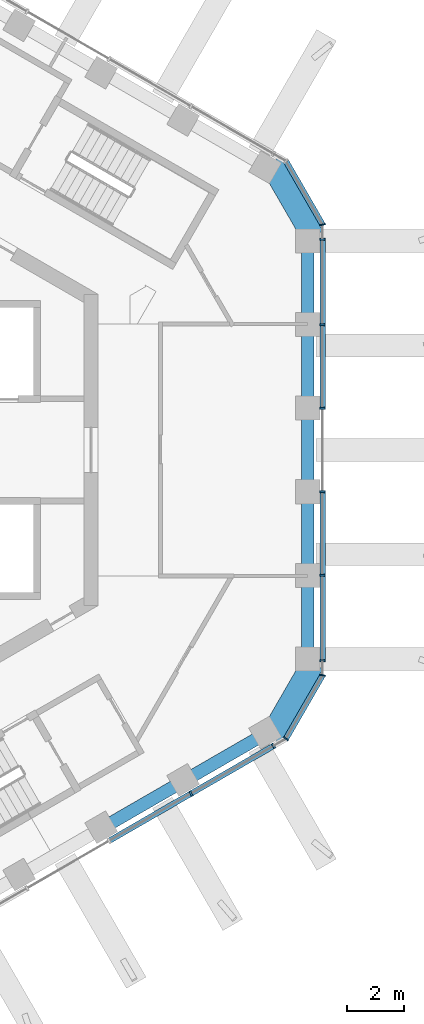
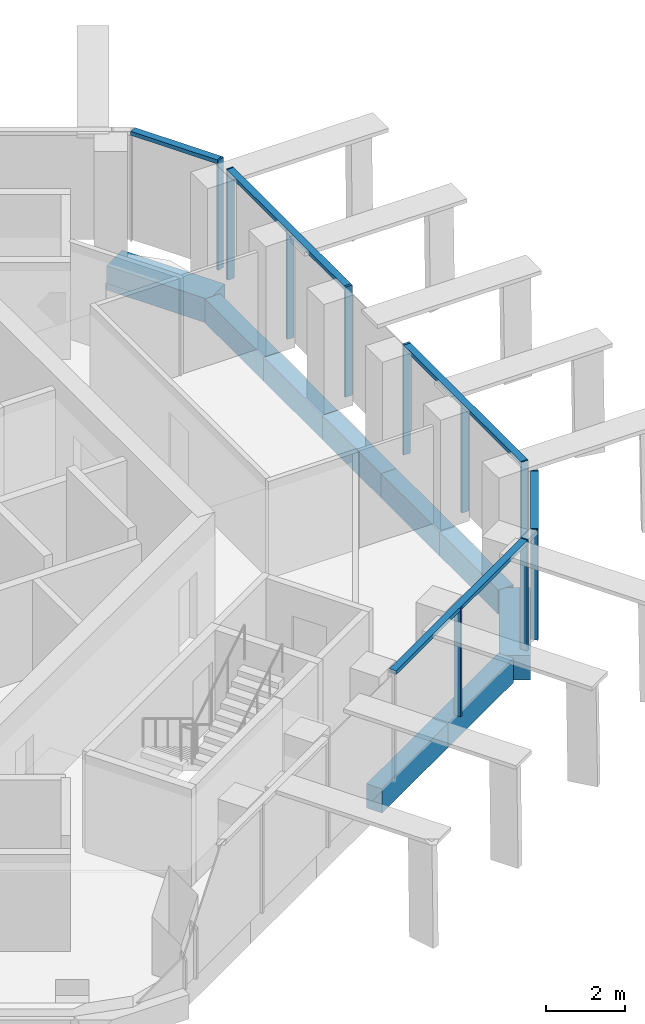
# One storey, part 4 of 17: 16 members, 9 beams, 4 elements without a shape of their own.
"""IFC4 building model written with IfcOpenShell, lengths in metres."""

from ifc_helpers import new_model, si_unit, direction, frame, origin, origin_2d, place, context, subcontext, project, spatial, rectangle, extrude, material, layer, layer_set, material_profile, profile_set, type_object, element, aggregate, save


model = new_model("IFC4")

# Units and contexts
model_context = context("Model", 3, precision=1e-05, world=origin(), true_north=direction((0.0, 1.0)))
body_context = subcontext(model_context, "Body", "Model", "MODEL_VIEW")
ifc_project = project(units=[si_unit("LENGTHUNIT", "METRE"), si_unit("AREAUNIT", "SQUARE_METRE"), si_unit("VOLUMEUNIT", "CUBIC_METRE"), si_unit("PLANEANGLEUNIT", "RADIAN"), si_unit("MASSUNIT", "GRAM", prefix="KILO")], contexts=[model_context])

# Site, building, storey
site_placement = place(None, origin())
site = spatial("IfcSite", under=ifc_project, at=site_placement, CompositionType="ELEMENT")
building_placement = place(site_placement, origin())
building = spatial("IfcBuilding", under=site, at=building_placement, Name="Ayvan Gate Tower", CompositionType="ELEMENT")
storey_placement = place(building_placement, frame((0.0, 0.0, 249.5)))
storey = spatial("IfcBuildingStorey", under=building, at=storey_placement, Name="L67", CompositionType="ELEMENT", Elevation=249.5)

# Beams
ifc_material_1 = material(Name="Concrete C40/50", Category="concrete")
ifc_material_profile_1 = material_profile(ifc_material_1, rectangle(XDim=0.800048828125, YDim=0.75, at=origin_2d()), Name="RC 800x750")
ifc_profile_set_1 = profile_set([ifc_material_profile_1], Name="Concrete C40/50")
beam_type_1 = type_object("IfcBeamType", Name="Corner spandrel beam RC 800x750 C40/50", PredefinedType="BEAM", material=ifc_profile_set_1)
for number, where, z_axis, x_axis, name in (
    (1, (17.078125, 7.52587890625, -0.72509765625), (-0.50002537861, 0.866010750942, 0.0), (-0.866010750942, -0.50002537861, 0.0), "SB-L67-6"),
    (2, (15.578125, -10.123779296875, -0.72509765625), (0.50002537861, 0.866010750942, 0.0), (-0.866010750942, 0.50002537861, 0.0), "SB-L67-36"),
):
    element("IfcBeam", number, at=place(storey_placement, frame(where, z_axis=z_axis, x_axis=x_axis)), inside=storey, type_object=beam_type_1, Name=name, PredefinedType="BEAM", context=body_context, shape_type="SweptSolid", body=[
        extrude(rectangle(XDim=0.800048828125, YDim=0.75, at=origin_2d()), origin(), (0.0, 0.0, 1.0), 2.999755859375),
    ])
ifc_material_profile_2 = material_profile(ifc_material_1, rectangle(XDim=0.449951171875, YDim=0.75, at=origin_2d()), Name="RC 450x750")
ifc_profile_set_2 = profile_set([ifc_material_profile_2], Name="Concrete C40/50")
beam_type_2 = type_object("IfcBeamType", Name="Spandrel beam RC 450x750 C40/50", PredefinedType="BEAM", material=ifc_profile_set_2)
for number, where, z_axis, x_axis, name in (
    (3, (16.887451171875, -7.415771484375, -0.72509765625), (0.0, 1.0, 0.0), (-1.0, 0.0, 0.0), "SB-L67-1"),
    (4, (16.887451171875, -4.449462890625, -0.72509765625), (0.0, 1.0, 0.0), (-1.0, 0.0, 0.0), "SB-L67-2"),
    (5, (16.887451171875, -1.483154296875, -0.72509765625), (0.0, 1.0, 0.0), (-1.0, 0.0, 0.0), "SB-L67-3"),
    (6, (16.887451171875, 1.483154296875, -0.72509765625), (0.0, 1.0, 0.0), (-1.0, 0.0, 0.0), "SB-L67-4"),
    (7, (16.887451171875, 4.449462890625, -0.72509765625), (0.0, 1.0, 0.0), (-1.0, 0.0, 0.0), "SB-L67-5"),
):
    element("IfcBeam", number, at=place(storey_placement, frame(where, z_axis=z_axis, x_axis=x_axis)), inside=storey, type_object=beam_type_2, Name=name, PredefinedType="BEAM", context=body_context, shape_type="SweptSolid", body=[
        extrude(rectangle(XDim=0.449951171875, YDim=0.75, at=origin_2d()), origin(), (0.0, 0.0, 1.0), 2.96630859375),
    ])
beam_1_placement = place(storey_placement, frame((9.6240234375, -13.341552734375, -0.72509765625), z_axis=(0.866008413041, 0.500029427677, 0.0), x_axis=(-0.500029427677, 0.866008413041, 0.0)))
element("IfcBeam", 8, at=beam_1_placement, inside=storey, type_object=beam_type_2, Name="SB-L67-34", PredefinedType="BEAM", context=body_context, shape_type="SweptSolid", body=[
    extrude(rectangle(XDim=0.449951171875, YDim=0.75, at=origin_2d()), origin(), (0.0, 0.0, 1.0), 3.327392578125),
])
beam_2_placement = place(storey_placement, frame((12.505615234375, -11.677734375, -0.72509765625), z_axis=(0.866026756424, 0.499997657153, 0.0), x_axis=(-0.499997657153, 0.866026756424, 0.0)))
element("IfcBeam", 9, at=beam_2_placement, inside=storey, type_object=beam_type_2, Name="SB-L67-35", PredefinedType="BEAM", context=body_context, shape_type="SweptSolid", body=[
    extrude(rectangle(XDim=0.449951171875, YDim=0.75, at=origin_2d()), origin(), (0.0, 0.0, 1.0), 3.32763671875),
])

# Curtain wall, members
ifc_material_2 = material(Name="Bronze anodised aluminium", Category="aluminium")
ifc_layer_1 = layer(ifc_material_2, 0.199951171875)
ifc_layer_set_1 = layer_set([ifc_layer_1], Name="Bronze anodised aluminium")
curtain_wall_type_1 = type_object("IfcCurtainWallType", Name="Stick curtain wall CW-2", PredefinedType="NOTDEFINED", material=ifc_layer_set_1)
curtain_wall_1_placement = place(storey_placement, origin())
curtain_wall_1 = element("IfcCurtainWall", 10, at=curtain_wall_1_placement, inside=storey, type_object=curtain_wall_type_1, Name="Stick curtain wall CW-2 L67", PredefinedType="NOTDEFINED")
ifc_material_profile_3 = material_profile(ifc_material_2, rectangle(XDim=0.199951171875, YDim=0.070068359375, at=origin_2d()), Name="Stick curtain wall CW-2 mullion 200 x 70")
ifc_profile_set_3 = profile_set([ifc_material_profile_3], Name="Bronze anodised aluminium")
member_type_1 = type_object("IfcMemberType", Name="Stick curtain wall CW-2 mullion 200 x 70", PredefinedType="MULLION", material=ifc_profile_set_3)
member_1_placement = place(storey_placement, frame((12.77490234375, -12.11376953125, 0.0), z_axis=(0.0, 0.0, 1.0), x_axis=(0.5, -0.866025403784, 0.0)))
member_1 = element("IfcMember", 11, at=member_1_placement, type_object=member_type_1, Name="CW-2 mullion 5", PredefinedType="MULLION", context=body_context, shape_type="SweptSolid", body=[
    extrude(rectangle(XDim=0.199951171875, YDim=0.070068359375, at=origin_2d()), origin(), (0.0, 0.0, 1.0), 3.39990234375),
])
member_2_placement = place(storey_placement, frame((15.679443359375, -10.436767578125, 0.0), z_axis=(0.0, 0.0, 1.0), x_axis=(0.5, -0.866025403784, 0.0)))
member_2 = element("IfcMember", 12, at=member_2_placement, type_object=member_type_1, Name="CW-2 mullion 6", PredefinedType="MULLION", context=body_context, shape_type="SweptSolid", body=[
    extrude(rectangle(XDim=0.199951171875, YDim=0.070068359375, at=origin_2d()), origin(), (0.0, 0.0, 1.0), 3.39990234375),
])

curtain_wall_2_placement = place(storey_placement, origin())
curtain_wall_2 = element("IfcCurtainWall", 13, at=curtain_wall_2_placement, inside=storey, type_object=curtain_wall_type_1, Name="Stick curtain wall CW-2 L67", PredefinedType="NOTDEFINED")
member_3_placement = place(storey_placement, frame((17.41259765625, -7.435302734375, 0.0), z_axis=(0.0, 0.0, 1.0), x_axis=(1.0, 0.0, 0.0)))
member_3 = element("IfcMember", 14, at=member_3_placement, type_object=member_type_1, Name="CW-2 mullion 1", PredefinedType="MULLION", context=body_context, shape_type="SweptSolid", body=[
    extrude(rectangle(XDim=0.199951171875, YDim=0.070068359375, at=origin_2d()), origin(), (0.0, 0.0, 1.0), 3.39990234375),
])
member_4_placement = place(storey_placement, frame((17.41259765625, -4.42041015625, 0.0), z_axis=(0.0, 0.0, 1.0), x_axis=(1.0, 0.0, 0.0)))
member_4 = element("IfcMember", 15, at=member_4_placement, type_object=member_type_1, Name="CW-2 mullion 2", PredefinedType="MULLION", context=body_context, shape_type="SweptSolid", body=[
    extrude(rectangle(XDim=0.199951171875, YDim=0.070068359375, at=origin_2d()), origin(), (0.0, 0.0, 1.0), 3.39990234375),
])
member_5_placement = place(storey_placement, frame((17.41259765625, -1.473388671875, 0.0), z_axis=(0.0, 0.0, 1.0), x_axis=(1.0, 0.0, 0.0)))
member_5 = element("IfcMember", 16, at=member_5_placement, type_object=member_type_1, Name="CW-2 mullion 3", PredefinedType="MULLION", context=body_context, shape_type="SweptSolid", body=[
    extrude(rectangle(XDim=0.199951171875, YDim=0.070068359375, at=origin_2d()), origin(), (0.0, 0.0, 1.0), 3.39990234375),
])
member_6_placement = place(storey_placement, frame((17.41259765625, 1.4736328125, 0.0), z_axis=(0.0, 0.0, 1.0), x_axis=(1.0, 0.0, 0.0)))
member_6 = element("IfcMember", 17, at=member_6_placement, type_object=member_type_1, Name="CW-2 mullion 4", PredefinedType="MULLION", context=body_context, shape_type="SweptSolid", body=[
    extrude(rectangle(XDim=0.199951171875, YDim=0.070068359375, at=origin_2d()), origin(), (0.0, 0.0, 1.0), 3.39990234375),
])
member_7_placement = place(storey_placement, frame((17.41259765625, 4.419677734375, 0.0), z_axis=(0.0, 0.0, 1.0), x_axis=(1.0, 0.0, 0.0)))
member_7 = element("IfcMember", 18, at=member_7_placement, type_object=member_type_1, Name="CW-2 mullion 5", PredefinedType="MULLION", context=body_context, shape_type="SweptSolid", body=[
    extrude(rectangle(XDim=0.199951171875, YDim=0.070068359375, at=origin_2d()), origin(), (0.0, 0.0, 1.0), 3.39990234375),
])
member_8_placement = place(storey_placement, frame((17.41259765625, 7.435302734375, 0.0), z_axis=(0.0, 0.0, 1.0), x_axis=(1.0, 0.0, 0.0)))
member_8 = element("IfcMember", 19, at=member_8_placement, type_object=member_type_1, Name="CW-2 mullion 6", PredefinedType="MULLION", context=body_context, shape_type="SweptSolid", body=[
    extrude(rectangle(XDim=0.199951171875, YDim=0.070068359375, at=origin_2d()), origin(), (0.0, 0.0, 1.0), 3.39990234375),
])

# Member
ifc_material_profile_4 = material_profile(ifc_material_2, rectangle(XDim=0.199951171875, YDim=0.1201171875, at=origin_2d()), Name="Stick curtain wall CW-2 transom 200 x 120")
ifc_profile_set_4 = profile_set([ifc_material_profile_4], Name="Bronze anodised aluminium")
member_type_2 = type_object("IfcMemberType", Name="Stick curtain wall CW-2 transom 200 x 120", PredefinedType="USERDEFINED", material=ifc_profile_set_4)
member_9_placement = place(storey_placement, frame((9.91455078125, -13.765380859375, 3.340087890625), z_axis=(0.866009076391, 0.500028278809, 0.0), x_axis=(-0.500028278809, 0.866009076391, 0.0)))
member_9 = element("IfcMember", 20, at=member_9_placement, type_object=member_type_2, Name="CW-2 transom 2", ObjectType="TRANSOM", PredefinedType="USERDEFINED", context=body_context, shape_type="SweptSolid", body=[
    extrude(rectangle(XDim=0.199951171875, YDim=0.1201171875, at=origin_2d()), origin(), (0.0, 0.0, 1.0), 6.65673828125),
])

aggregate(curtain_wall_1, [member_1, member_2, member_9])

member_10_placement = place(storey_placement, frame((17.41259765625, -7.435302734375, 3.340087890625), z_axis=(0.0, 1.0, 0.0), x_axis=(-1.0, 0.0, 0.0)))
member_10 = element("IfcMember", 21, at=member_10_placement, type_object=member_type_2, Name="CW-2 transom 1", ObjectType="TRANSOM", PredefinedType="USERDEFINED", context=body_context, shape_type="SweptSolid", body=[
    extrude(rectangle(XDim=0.199951171875, YDim=0.1201171875, at=origin_2d()), origin(), (0.0, 0.0, 1.0), 5.927001953125),
])

member_11_placement = place(storey_placement, frame((17.41259765625, 1.5087890625, 3.340087890625), z_axis=(0.0, 1.0, 0.0), x_axis=(-1.0, 0.0, 0.0)))
member_11 = element("IfcMember", 22, at=member_11_placement, type_object=member_type_2, Name="CW-2 transom 2", ObjectType="TRANSOM", PredefinedType="USERDEFINED", context=body_context, shape_type="SweptSolid", body=[
    extrude(rectangle(XDim=0.199951171875, YDim=0.1201171875, at=origin_2d()), origin(), (0.0, 0.0, 1.0), 5.926513671875),
])

aggregate(curtain_wall_2, [member_3, member_4, member_5, member_6, member_7, member_8, member_10, member_11])

# Curtain wall, members
ifc_layer_2 = layer(ifc_material_2, 0.199951171875)
ifc_layer_set_2 = layer_set([ifc_layer_2], Name="Bronze anodised aluminium")
curtain_wall_type_2 = type_object("IfcCurtainWallType", Name="Stick curtain wall CW-6", PredefinedType="NOTDEFINED", material=ifc_layer_set_2)
curtain_wall_3_placement = place(storey_placement, origin())
curtain_wall_3 = element("IfcCurtainWall", 23, at=curtain_wall_3_placement, inside=storey, type_object=curtain_wall_type_2, Name="Stick curtain wall CW-6 L67", PredefinedType="NOTDEFINED")
ifc_material_profile_5 = material_profile(ifc_material_2, rectangle(XDim=0.199951171875, YDim=0.050048828125, at=origin_2d()), Name="Stick curtain wall CW-6 mullion 200 x 50")
ifc_profile_set_5 = profile_set([ifc_material_profile_5], Name="Bronze anodised aluminium")
member_type_3 = type_object("IfcMemberType", Name="Stick curtain wall CW-6 mullion 200 x 50", PredefinedType="MULLION", material=ifc_profile_set_5)
member_12_placement = place(storey_placement, frame((16.12109375, -10.181884765625, 0.0), z_axis=(0.0, 0.0, 1.0), x_axis=(0.707106781187, -0.707106781187, 0.0)))
member_12 = element("IfcMember", 24, at=member_12_placement, type_object=member_type_3, Name="CW-6 mullion 2", PredefinedType="MULLION", context=body_context, shape_type="SweptSolid", body=[
    extrude(rectangle(XDim=0.199951171875, YDim=0.050048828125, at=origin_2d()), origin(), (0.0, 0.0, 1.0), 3.39990234375),
])
member_13_placement = place(storey_placement, frame((17.41259765625, -7.9453125, 0.0), z_axis=(0.0, 0.0, 1.0), x_axis=(0.965925826289, -0.258819045103, 0.0)))
member_13 = element("IfcMember", 25, at=member_13_placement, type_object=member_type_3, Name="CW-6 mullion 3", PredefinedType="MULLION", context=body_context, shape_type="SweptSolid", body=[
    extrude(rectangle(XDim=0.199951171875, YDim=0.050048828125, at=origin_2d()), origin(), (0.0, 0.0, 1.0), 3.39990234375),
])

# Curtain wall, member
curtain_wall_4_placement = place(storey_placement, origin())
curtain_wall_4 = element("IfcCurtainWall", 26, at=curtain_wall_4_placement, inside=storey, type_object=curtain_wall_type_2, Name="Stick curtain wall CW-6 L67", PredefinedType="NOTDEFINED")
member_14_placement = place(storey_placement, frame((17.41259765625, 7.9453125, 0.0), z_axis=(0.0, 0.0, 1.0), x_axis=(0.965925826289, 0.258819045103, 0.0)))
member_14 = element("IfcMember", 27, at=member_14_placement, type_object=member_type_3, Name="CW-6 mullion 2", PredefinedType="MULLION", context=body_context, shape_type="SweptSolid", body=[
    extrude(rectangle(XDim=0.199951171875, YDim=0.050048828125, at=origin_2d()), origin(), (0.0, 0.0, 1.0), 3.39990234375),
])

# Member
ifc_material_profile_6 = material_profile(ifc_material_2, rectangle(XDim=0.199951171875, YDim=0.1201171875, at=origin_2d()), Name="Stick curtain wall CW-6 transom 200 x 120")
ifc_profile_set_6 = profile_set([ifc_material_profile_6], Name="Bronze anodised aluminium")
member_type_4 = type_object("IfcMemberType", Name="Stick curtain wall CW-6 transom 200 x 120", PredefinedType="USERDEFINED", material=ifc_profile_set_6)
member_15_placement = place(storey_placement, frame((16.1337890625, -10.16015625, 3.340087890625), z_axis=(0.49997559865, 0.866039491452, 0.0), x_axis=(-0.866039491452, 0.49997559865, 0.0)))
member_15 = element("IfcMember", 28, at=member_15_placement, type_object=member_type_4, Name="CW-6 transom 2", ObjectType="TRANSOM", PredefinedType="USERDEFINED", context=body_context, shape_type="SweptSolid", body=[
    extrude(rectangle(XDim=0.199951171875, YDim=0.1201171875, at=origin_2d()), origin(), (0.0, 0.0, 1.0), 2.532470703125),
])

aggregate(curtain_wall_3, [member_12, member_13, member_15])

member_16_placement = place(storey_placement, frame((17.39990234375, 7.967041015625, 3.340087890625), z_axis=(-0.49997559865, 0.866039491452, 0.0), x_axis=(-0.866039491452, -0.49997559865, 0.0)))
member_16 = element("IfcMember", 29, at=member_16_placement, type_object=member_type_4, Name="CW-6 transom 1", ObjectType="TRANSOM", PredefinedType="USERDEFINED", context=body_context, shape_type="SweptSolid", body=[
    extrude(rectangle(XDim=0.199951171875, YDim=0.1201171875, at=origin_2d()), origin(), (0.0, 0.0, 1.0), 2.532470703125),
])

aggregate(curtain_wall_4, [member_14, member_16])

save(model, "model.ifc")
